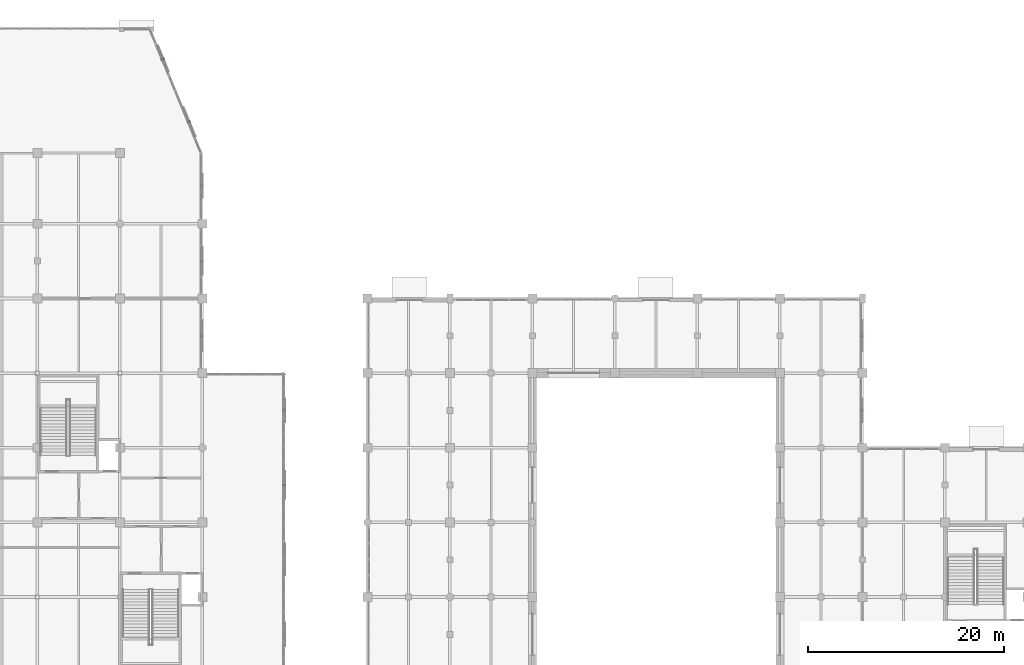
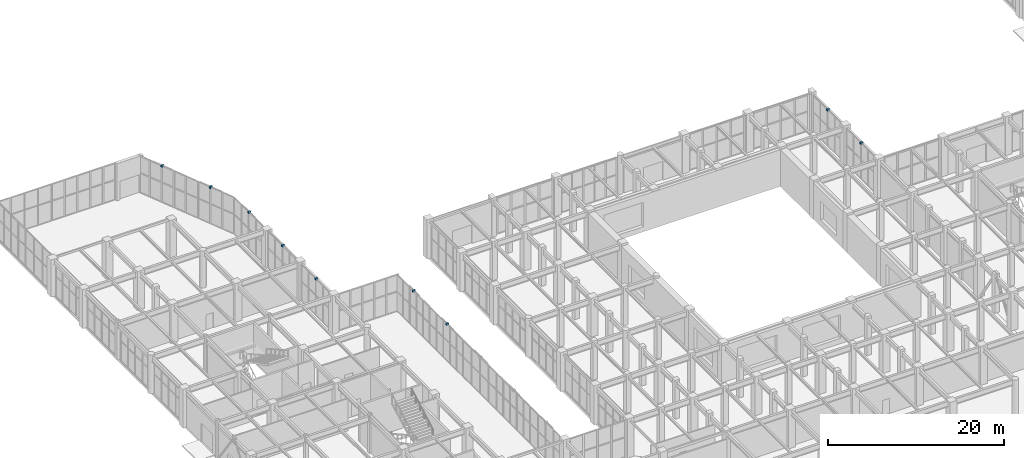
# One storey, part 131 of 139: 9 discrete accessories.
"""IFC4 building model written with IfcOpenShell, lengths in metres."""

from ifc_helpers import new_model, si_unit, direction, frame, origin, origin_2d, place, context, subcontext, project, spatial, rectangle, extrude, material, type_object, element, save


model = new_model("IFC4")

# Units and contexts
model_context = context("Model", 3, precision=1e-05, world=origin(), true_north=direction((0.0, 1.0)))
body_context = subcontext(model_context, "Body", "Model", "MODEL_VIEW")
ifc_project = project(units=[si_unit("LENGTHUNIT", "METRE"), si_unit("AREAUNIT", "SQUARE_METRE"), si_unit("VOLUMEUNIT", "CUBIC_METRE"), si_unit("PLANEANGLEUNIT", "RADIAN"), si_unit("MASSUNIT", "GRAM", prefix="KILO")], contexts=[model_context])

# Site, building, storey
site_placement = place(None, origin())
site = spatial("IfcSite", under=ifc_project, at=site_placement, CompositionType="ELEMENT")
building_placement = place(site_placement, origin())
building = spatial("IfcBuilding", under=site, at=building_placement, Name="Xicomal Pleat Aquarium", CompositionType="ELEMENT")
storey_placement = place(building_placement, origin())
storey = spatial("IfcBuildingStorey", under=building, at=storey_placement, Name="L01", CompositionType="ELEMENT", Elevation=0.0)

# Discrete accessories
ifc_material = material(Name="Stainless steel 316L", Category="steel")
discrete_accessory_type = type_object("IfcDiscreteAccessoryType", Name="ACC-BRK-STL", PredefinedType="BRACKET", material=ifc_material)
for number, where, z_axis, x_axis, name in (
    (1, (22.950927734375, 107.968994140625, 4.93994140625), (0.0, 0.0, 1.0), (0.38252217914, -0.923946309298, 0.0), "L01 sunshade support bracket 7"),
    (2, (25.60107421875, 101.569091796875, 4.93994140625), (0.0, 0.0, 1.0), (0.38252217914, -0.923946309298, 0.0), "L01 sunshade support bracket 8"),
    (3, (26.919921875, 95.06005859375, 4.93994140625), (0.0, 0.0, 1.0), (0.0, -1.0, 0.0), "L01 sunshade support bracket 9"),
    (4, (26.919921875, 87.39990234375, 4.93994140625), (0.0, 0.0, 1.0), (0.0, -1.0, 0.0), "L01 sunshade support bracket 10"),
    (5, (26.919921875, 79.800048828125, 4.93994140625), (0.0, 0.0, 1.0), (0.0, -1.0, 0.0), "L01 sunshade support bracket 11"),
    (6, (35.320068359375, 72.199951171875, 4.93994140625), (0.0, 0.0, 1.0), (0.0, -1.0, 0.0), "L01 sunshade support bracket 12"),
    (7, (35.320068359375, 64.60009765625, 4.93994140625), (0.0, 0.0, 1.0), (0.0, -1.0, 0.0), "L01 sunshade support bracket 13"),
    (8, (94.1201171875, 79.800048828125, 4.8798828125), (0.0, 0.0, 1.0), (0.0, -1.0, 0.0), "L01 sunshade support bracket 17"),
    (9, (94.1201171875, 72.199951171875, 4.8798828125), (0.0, 0.0, 1.0), (0.0, -1.0, 0.0), "L01 sunshade support bracket 18"),
):
    element("IfcDiscreteAccessory", number, at=place(storey_placement, frame(where, z_axis=z_axis, x_axis=x_axis)), inside=storey, type_object=discrete_accessory_type, Name=name, PredefinedType="BRACKET", context=body_context, shape_type="SweptSolid", body=[
        extrude(rectangle(XDim=0.239990234375, YDim=0.360107421875, at=origin_2d()), origin(), (0.0, 0.0, 1.0), 0.239990234375),
    ])

save(model, "model.ifc")
